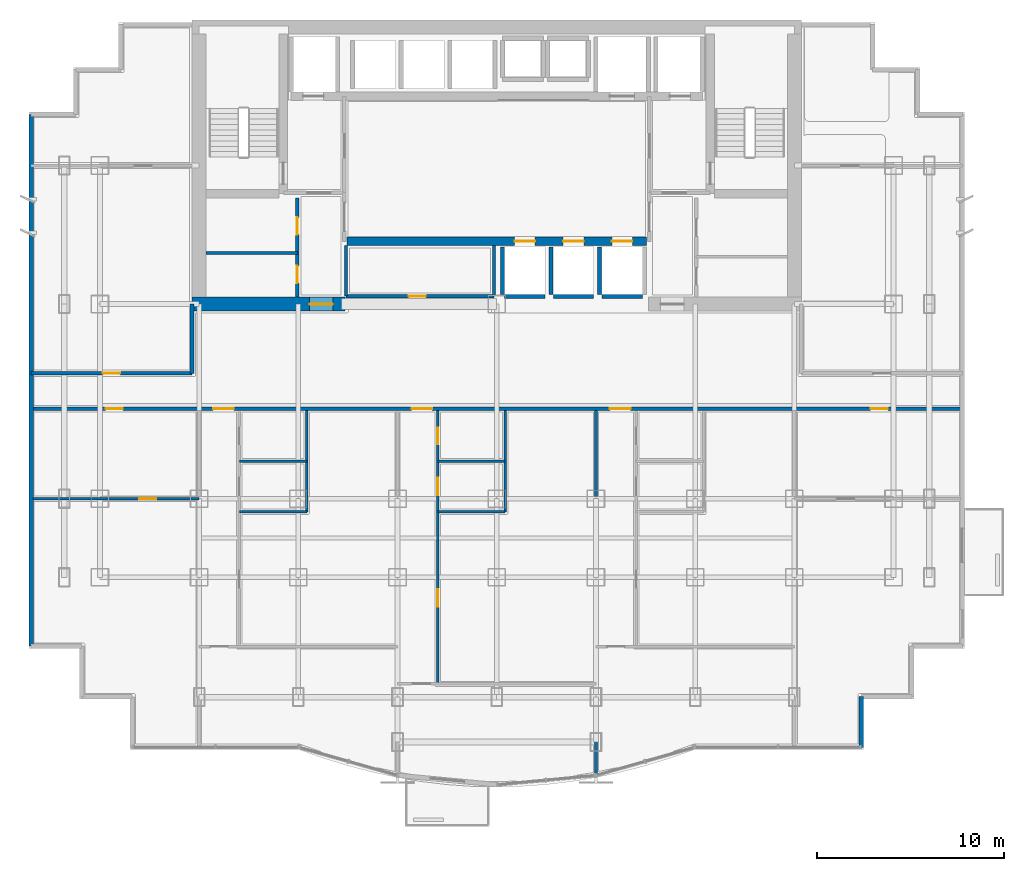
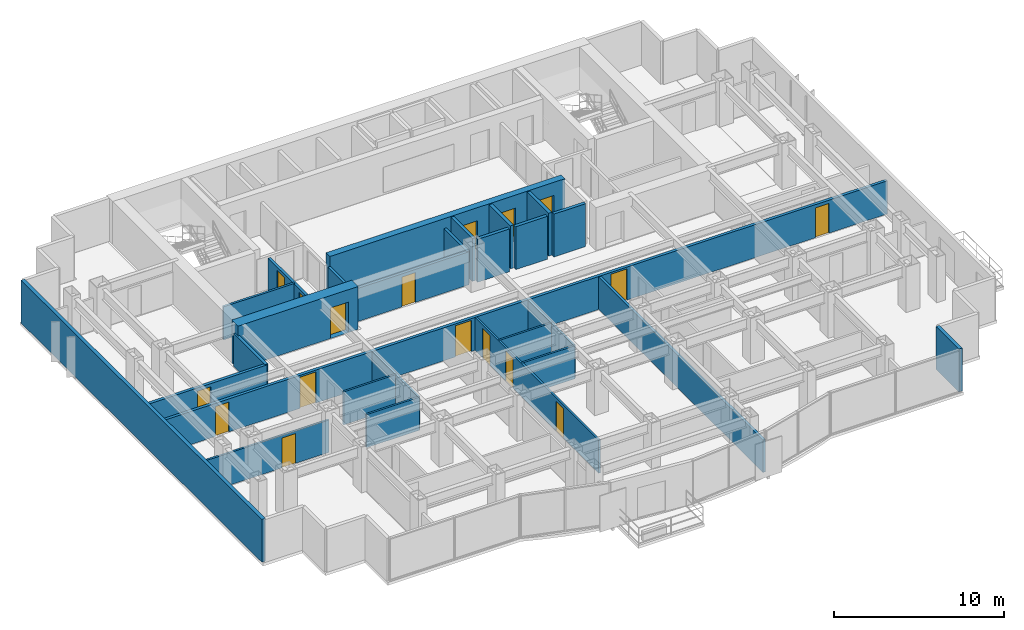
# One storey, part 5 of 9: 27 walls, 17 doors, 17 openings.
"""IFC4 building model written with IfcOpenShell, lengths in metres."""

from ifc_helpers import new_model, si_unit, direction, frame, frame_2d, origin, place, context, subcontext, project, spatial, rectangle, extrude, material, layer, layer_set, type_object, element, fill, save


model = new_model("IFC4")

# Units and contexts
model_context = context("Model", 3, precision=1e-05, world=origin(), true_north=direction((0.0, 1.0)))
body_context = subcontext(model_context, "Body", "Model", "MODEL_VIEW")
ifc_project = project(units=[si_unit("LENGTHUNIT", "METRE"), si_unit("AREAUNIT", "SQUARE_METRE"), si_unit("VOLUMEUNIT", "CUBIC_METRE"), si_unit("PLANEANGLEUNIT", "RADIAN"), si_unit("MASSUNIT", "GRAM", prefix="KILO")], contexts=[model_context])

# Site, building, storey
site_placement = place(None, origin())
site = spatial("IfcSite", under=ifc_project, at=site_placement, CompositionType="ELEMENT")
building_placement = place(site_placement, origin())
building = spatial("IfcBuilding", under=site, at=building_placement, Name="Qianlan Lanfeng Residences", CompositionType="ELEMENT")
storey_placement = place(building_placement, frame((0.0, 0.0, 108.10009765625)))
storey = spatial("IfcBuildingStorey", under=building, at=storey_placement, Name="L29", CompositionType="ELEMENT", Elevation=108.10009765625)

# Wall, openings, doors
ifc_material_1 = material(Name="Concrete C60", Category="concrete")
ifc_layer_1 = layer(ifc_material_1, 0.449951171875)
ifc_layer_set_1 = layer_set([ifc_layer_1], Name="Concrete C60")
wall_type_1 = type_object("IfcWallType", Name="CW-RC-450", PredefinedType="SHEAR", material=ifc_layer_set_1)
wall_1_placement = place(storey_placement, frame((18.5, 28.550048828125, 0.0), z_axis=(0.0, 0.0, 1.0), x_axis=(1.0, 0.0, 0.0)))
wall_1 = element("IfcWall", 1, at=wall_1_placement, inside=storey, type_object=wall_type_1, Name="L29 Core Shear Wall LBS", PredefinedType="SHEAR", context=body_context, shape_type="SweptSolid", body=[
    extrude(rectangle(XDim=16.0, YDim=0.449951171875, at=frame_2d((8.0, 0.0))), origin(), (0.0, 0.0, 1.0), 3.08984375),
])
opening_1_placement = place(wall_1_placement, frame((8.949951171875, 0.0, 0.0)))
opening_1 = element("IfcOpeningElement", 2, at=opening_1_placement, cuts=wall_1, Name="Opening L29-LD-PL-M1", PredefinedType="OPENING", context=body_context, shape_type="SweptSolid", body=[
    extrude(rectangle(XDim=1.10009765625, YDim=2.14990234375, at=frame_2d((0.550048828125, 1.074951171875))), frame((0.0, 0.23486328125, 0.0), z_axis=(0.0, -1.0, 0.0), x_axis=(1.0, 0.0, 0.0)), (0.0, 0.0, 1.0), 0.469970703125),
])
opening_2_placement = place(wall_1_placement, frame((11.550048828125, 0.0, 0.0)))
opening_2 = element("IfcOpeningElement", 3, at=opening_2_placement, cuts=wall_1, Name="Opening L29-LD-PL-M2", PredefinedType="OPENING", context=body_context, shape_type="SweptSolid", body=[
    extrude(rectangle(XDim=1.10009765625, YDim=2.14990234375, at=frame_2d((0.550048828125, 1.074951171875))), frame((0.0, 0.23486328125, 0.0), z_axis=(0.0, -1.0, 0.0), x_axis=(1.0, 0.0, 0.0)), (0.0, 0.0, 1.0), 0.469970703125),
])
opening_3_placement = place(wall_1_placement, frame((14.14990234375, 0.0, 0.0)))
opening_3 = element("IfcOpeningElement", 4, at=opening_3_placement, cuts=wall_1, Name="Opening L29-LD-PL-M3", PredefinedType="OPENING", context=body_context, shape_type="SweptSolid", body=[
    extrude(rectangle(XDim=1.10009765625, YDim=2.14990234375, at=frame_2d((0.550048828125, 1.074951171875))), frame((0.0, 0.23486328125, 0.0), z_axis=(0.0, -1.0, 0.0), x_axis=(1.0, 0.0, 0.0)), (0.0, 0.0, 1.0), 0.469970703125),
])
ifc_material_2 = material(Name="Brushed Stainless Steel Sliding Lift Door", Category="steel")
door_type_1 = type_object("IfcDoorType", Name="LD-01", OperationType="NOTDEFINED", PredefinedType="DOOR", material=ifc_material_2)
door_1_placement = place(opening_1_placement, origin())
door_1 = element("IfcDoor", 5, at=door_1_placement, inside=storey, type_object=door_type_1, Name="L29 Elevator PL-M1 Sliding Landing Door", OperationType="DOUBLE_DOOR_SLIDING", OverallHeight=2.14990234375, OverallWidth=1.10009765625, PredefinedType="DOOR", context=body_context, shape_type="SweptSolid", body=[
    extrude(rectangle(XDim=1.10009765625, YDim=2.14990234375, at=frame_2d((0.550048828125, 1.074951171875))), frame((0.0, 0.02490234375, 0.0), z_axis=(0.0, -1.0, 0.0), x_axis=(1.0, 0.0, 0.0)), (0.0, 0.0, 1.0), 0.050048828125),
])
fill(opening_1, door_1)
door_2_placement = place(opening_2_placement, origin())
door_2 = element("IfcDoor", 6, at=door_2_placement, inside=storey, type_object=door_type_1, Name="L29 Elevator PL-M2 Sliding Landing Door", OperationType="DOUBLE_DOOR_SLIDING", OverallHeight=2.14990234375, OverallWidth=1.10009765625, PredefinedType="DOOR", context=body_context, shape_type="SweptSolid", body=[
    extrude(rectangle(XDim=1.10009765625, YDim=2.14990234375, at=frame_2d((0.550048828125, 1.074951171875))), frame((0.0, 0.02490234375, 0.0), z_axis=(0.0, -1.0, 0.0), x_axis=(1.0, 0.0, 0.0)), (0.0, 0.0, 1.0), 0.050048828125),
])
fill(opening_2, door_2)
door_3_placement = place(opening_3_placement, origin())
door_3 = element("IfcDoor", 7, at=door_3_placement, inside=storey, type_object=door_type_1, Name="L29 Elevator PL-M3 Sliding Landing Door", OperationType="DOUBLE_DOOR_SLIDING", OverallHeight=2.14990234375, OverallWidth=1.10009765625, PredefinedType="DOOR", context=body_context, shape_type="SweptSolid", body=[
    extrude(rectangle(XDim=1.10009765625, YDim=2.14990234375, at=frame_2d((0.550048828125, 1.074951171875))), frame((0.0, 0.02490234375, 0.0), z_axis=(0.0, -1.0, 0.0), x_axis=(1.0, 0.0, 0.0)), (0.0, 0.0, 1.0), 0.050048828125),
])
fill(opening_3, door_3)

# Wall, opening, door
ifc_layer_2 = layer(ifc_material_1, 0.75)
ifc_layer_set_2 = layer_set([ifc_layer_2], Name="Concrete C60")
wall_type_2 = type_object("IfcWallType", Name="CW-RC-750", PredefinedType="SHEAR", material=ifc_layer_set_2)
wall_2_placement = place(storey_placement, frame((10.22509765625, 25.199951171875, 0.0), z_axis=(0.0, 0.0, 1.0), x_axis=(1.0, 0.0, 0.0)))
wall_2 = element("IfcWall", 8, at=wall_2_placement, inside=storey, type_object=wall_type_2, Name="L29 Core Shear Wall SW", PredefinedType="SHEAR", context=body_context, shape_type="SweptSolid", body=[
    extrude(rectangle(XDim=8.1748046875, YDim=0.75, at=frame_2d((4.08740234375, 0.0))), origin(), (0.0, 0.0, 1.0), 3.08984375),
])
opening_4_placement = place(wall_2_placement, frame((6.27490234375, 0.0, 0.0)))
opening_4 = element("IfcOpeningElement", 9, at=opening_4_placement, cuts=wall_2, Name="Opening L29-D01", PredefinedType="OPENING", context=body_context, shape_type="SweptSolid", body=[
    extrude(rectangle(XDim=1.25, YDim=2.199951171875, at=frame_2d((0.625, 1.10009765625))), frame((0.0, 0.385009765625, 0.0), z_axis=(0.0, -1.0, 0.0), x_axis=(1.0, 0.0, 0.0)), (0.0, 0.0, 1.0), 0.77001953125),
])
ifc_material_3 = material(Name="Painted Galvanised Steel Fire Door", Category="steel")
door_type_2 = type_object("IfcDoorType", Name="DT-FFL", OperationType="NOTDEFINED", PredefinedType="DOOR", material=ifc_material_3)
door_4_placement = place(opening_4_placement, origin())
door_4 = element("IfcDoor", 10, at=door_4_placement, inside=storey, type_object=door_type_2, Name="L29 West Core Lobby Smoke Door L29-D01 (DT-FFL)", OperationType="SINGLE_SWING_RIGHT", OverallHeight=2.199951171875, OverallWidth=1.25, PredefinedType="DOOR", context=body_context, shape_type="SweptSolid", body=[
    extrude(rectangle(XDim=1.25, YDim=2.199951171875, at=frame_2d((0.625, 1.10009765625))), frame((0.0, 0.02490234375, 0.0), z_axis=(0.0, -1.0, 0.0), x_axis=(1.0, 0.0, 0.0)), (0.0, 0.0, 1.0), 0.050048828125),
])
fill(opening_4, door_4)

# Walls
ifc_material_4 = material(Name="Concrete C42", Category="concrete")
ifc_layer_3 = layer(ifc_material_4, 0.239990234375)
ifc_layer_set_3 = layer_set([ifc_layer_3], Name="Concrete C42")
wall_type_3 = type_object("IfcWallType", Name="EW-240", PredefinedType="SOLIDWALL", material=ifc_layer_set_3)
wall_3_placement = place(storey_placement, frame((45.97998046875, 1.52001953125, 0.0), z_axis=(0.0, 0.0, 1.0), x_axis=(0.0, 1.0, 0.0)))
element("IfcWall", 11, at=wall_3_placement, inside=storey, type_object=wall_type_3, Name="L29 Exterior Facade Spandrel Wall 6", PredefinedType="SOLIDWALL", context=body_context, shape_type="SweptSolid", body=[
    extrude(rectangle(XDim=2.699951171875, YDim=0.239990234375, at=frame_2d((1.35009765625, 0.0))), origin(), (0.0, 0.0, 1.0), 3.08984375),
])
wall_4_placement = place(storey_placement, frame((1.6201171875, 35.330078125, 0.0), z_axis=(0.0, 0.0, 1.0), x_axis=(0.0, -1.0, 0.0)))
element("IfcWall", 12, at=wall_4_placement, inside=storey, type_object=wall_type_3, Name="L29 Exterior Facade Spandrel Wall 21", PredefinedType="SOLIDWALL", context=body_context, shape_type="SweptSolid", body=[
    extrude(rectangle(XDim=28.41015625, YDim=0.239990234375, at=frame_2d((14.205078125, 0.0))), origin(), (0.0, 0.0, 1.0), 3.08984375),
])
ifc_material_5 = material(Name="Moisture-Resistant Gypsum Partition 135 mm")
ifc_layer_4 = layer(ifc_material_5, 0.135009765625)
ifc_layer_set_4 = layer_set([ifc_layer_4], Name="Moisture-Resistant Gypsum Partition 135 mm")
wall_type_4 = type_object("IfcWallType", Name="PW-135", PredefinedType="PARTITIONING", material=ifc_layer_set_4)
wall_5_placement = place(storey_placement, frame((12.75, 14.10009765625, 0.0), z_axis=(0.0, 0.0, 1.0), x_axis=(1.0, 0.0, 0.0)))
element("IfcWall", 13, at=wall_5_placement, inside=storey, type_object=wall_type_4, Name="L29 U01 Kitchen South Wall", PredefinedType="PARTITIONING", context=body_context, shape_type="SweptSolid", body=[
    extrude(rectangle(XDim=3.60009765625, YDim=0.135009765625, at=frame_2d((1.800048828125, 0.0))), origin(), (0.0, 0.0, 1.0), 2.3798828125),
])
wall_6_placement = place(storey_placement, frame((16.35009765625, 14.10009765625, 0.0), z_axis=(0.0, 0.0, 1.0), x_axis=(0.0, 1.0, 0.0)))
element("IfcWall", 14, at=wall_6_placement, inside=storey, type_object=wall_type_4, Name="L29 U01 Dining East Wall", PredefinedType="PARTITIONING", context=body_context, shape_type="SweptSolid", body=[
    extrude(rectangle(XDim=5.39990234375, YDim=0.135009765625, at=frame_2d((2.699951171875, 0.0))), origin(), (0.0, 0.0, 1.0), 2.3798828125),
])
wall_7_placement = place(storey_placement, frame((12.75, 16.800048828125, 0.0), z_axis=(0.0, 0.0, 1.0), x_axis=(1.0, 0.0, 0.0)))
element("IfcWall", 15, at=wall_7_placement, inside=storey, type_object=wall_type_4, Name="L29 U01 Bathroom South Wall", PredefinedType="PARTITIONING", context=body_context, shape_type="SweptSolid", body=[
    extrude(rectangle(XDim=3.60009765625, YDim=0.135009765625, at=frame_2d((1.800048828125, 0.0))), origin(), (0.0, 0.0, 1.0), 2.3798828125),
])

# Wall, openings, doors
wall_8_placement = place(storey_placement, frame((23.35009765625, 4.903076171875, 0.0), z_axis=(0.0, 0.0, 1.0), x_axis=(0.0, 1.0, 0.0)))
wall_8 = element("IfcWall", 16, at=wall_8_placement, inside=storey, type_object=wall_type_4, Name="L29 U02 Entry Hall Spine", PredefinedType="PARTITIONING", context=body_context, shape_type="SweptSolid", body=[
    extrude(rectangle(XDim=14.596923828125, YDim=0.135009765625, at=frame_2d((7.29833984375, 0.0))), origin(), (0.0, 0.0, 1.0), 2.3798828125),
])
opening_5_placement = place(wall_8_placement, frame((4.137939453125, 0.0, 0.0)))
opening_5 = element("IfcOpeningElement", 17, at=opening_5_placement, cuts=wall_8, Name="Opening L29-D23", PredefinedType="OPENING", context=body_context, shape_type="SweptSolid", body=[
    extrude(rectangle(XDim=0.919921875, YDim=2.14990234375, at=frame_2d((0.4599609375, 1.074951171875))), frame((0.0, 0.07763671875, 0.0), z_axis=(0.0, -1.0, 0.0), x_axis=(1.0, 0.0, 0.0)), (0.0, 0.0, 1.0), 0.155029296875),
])
opening_6_placement = place(wall_8_placement, frame((10.0869140625, 0.0, 0.0)))
opening_6 = element("IfcOpeningElement", 18, at=opening_6_placement, cuts=wall_8, Name="Opening L29-D24", PredefinedType="OPENING", context=body_context, shape_type="SweptSolid", body=[
    extrude(rectangle(XDim=0.919921875, YDim=2.14990234375, at=frame_2d((0.4599609375, 1.074951171875))), frame((0.0, 0.07763671875, 0.0), z_axis=(0.0, -1.0, 0.0), x_axis=(1.0, 0.0, 0.0)), (0.0, 0.0, 1.0), 0.155029296875),
])
opening_7_placement = place(wall_8_placement, frame((12.797119140625, 0.0, 0.0)))
opening_7 = element("IfcOpeningElement", 19, at=opening_7_placement, cuts=wall_8, Name="Opening L29-D25", PredefinedType="OPENING", context=body_context, shape_type="SweptSolid", body=[
    extrude(rectangle(XDim=0.89990234375, YDim=2.14990234375, at=frame_2d((0.449951171875, 1.074951171875))), frame((0.0, 0.07763671875, 0.0), z_axis=(0.0, -1.0, 0.0), x_axis=(1.0, 0.0, 0.0)), (0.0, 0.0, 1.0), 0.155029296875),
])
ifc_material_6 = material(Name="Glazed Timber Kitchen/Study Door", Category="wood")
door_type_3 = type_object("IfcDoorType", Name="DT-INT", OperationType="NOTDEFINED", PredefinedType="DOOR", material=ifc_material_6)
door_5_placement = place(opening_5_placement, origin())
door_5 = element("IfcDoor", 20, at=door_5_placement, inside=storey, type_object=door_type_3, Name="L29 U02 Study Door L29-D23 (DT-INT)", OperationType="SINGLE_SWING_RIGHT", OverallHeight=2.14990234375, OverallWidth=0.919921875, PredefinedType="DOOR", context=body_context, shape_type="SweptSolid", body=[
    extrude(rectangle(XDim=0.919921875, YDim=2.14990234375, at=frame_2d((0.4599609375, 1.074951171875))), frame((0.0, 0.02490234375, 0.0), z_axis=(0.0, -1.0, 0.0), x_axis=(1.0, 0.0, 0.0)), (0.0, 0.0, 1.0), 0.050048828125),
])
fill(opening_5, door_5)
door_6_placement = place(opening_6_placement, origin())
door_6 = element("IfcDoor", 21, at=door_6_placement, inside=storey, type_object=door_type_3, Name="L29 U02 Kitchen Door L29-D24 (DT-INT)", OperationType="SINGLE_SWING_LEFT", OverallHeight=2.14990234375, OverallWidth=0.919921875, PredefinedType="DOOR", context=body_context, shape_type="SweptSolid", body=[
    extrude(rectangle(XDim=0.919921875, YDim=2.14990234375, at=frame_2d((0.4599609375, 1.074951171875))), frame((0.0, 0.02490234375, 0.0), z_axis=(0.0, -1.0, 0.0), x_axis=(1.0, 0.0, 0.0)), (0.0, 0.0, 1.0), 0.050048828125),
])
fill(opening_6, door_6)
ifc_material_7 = material(Name="Moisture-Resistant Timber Leaf", Category="wood")
door_type_4 = type_object("IfcDoorType", Name="DT-WC", OperationType="NOTDEFINED", PredefinedType="DOOR", material=ifc_material_7)
door_7_placement = place(opening_7_placement, origin())
door_7 = element("IfcDoor", 22, at=door_7_placement, inside=storey, type_object=door_type_4, Name="L29 U02 Bathroom Door L29-D25 (DT-WC)", OperationType="SINGLE_SWING_RIGHT", OverallHeight=2.14990234375, OverallWidth=0.89990234375, PredefinedType="DOOR", context=body_context, shape_type="SweptSolid", body=[
    extrude(rectangle(XDim=0.89990234375, YDim=2.14990234375, at=frame_2d((0.449951171875, 1.074951171875))), frame((0.0, 0.02490234375, 0.0), z_axis=(0.0, -1.0, 0.0), x_axis=(1.0, 0.0, 0.0)), (0.0, 0.0, 1.0), 0.050048828125),
])
fill(opening_7, door_7)

# Walls
wall_9_placement = place(storey_placement, frame((23.35009765625, 14.10009765625, 0.0), z_axis=(0.0, 0.0, 1.0), x_axis=(1.0, 0.0, 0.0)))
element("IfcWall", 23, at=wall_9_placement, inside=storey, type_object=wall_type_4, Name="L29 U02 Kitchen South Wall", PredefinedType="PARTITIONING", context=body_context, shape_type="SweptSolid", body=[
    extrude(rectangle(XDim=3.599853515625, YDim=0.135009765625, at=frame_2d((1.7998046875, 0.0))), origin(), (0.0, 0.0, 1.0), 2.3798828125),
])
wall_10_placement = place(storey_placement, frame((26.949951171875, 14.10009765625, 0.0), z_axis=(0.0, 0.0, 1.0), x_axis=(0.0, 1.0, 0.0)))
element("IfcWall", 24, at=wall_10_placement, inside=storey, type_object=wall_type_4, Name="L29 U02 Dining East Wall", PredefinedType="PARTITIONING", context=body_context, shape_type="SweptSolid", body=[
    extrude(rectangle(XDim=5.39990234375, YDim=0.135009765625, at=frame_2d((2.699951171875, 0.0))), origin(), (0.0, 0.0, 1.0), 2.3798828125),
])
wall_11_placement = place(storey_placement, frame((23.35009765625, 16.800048828125, 0.0), z_axis=(0.0, 0.0, 1.0), x_axis=(1.0, 0.0, 0.0)))
element("IfcWall", 25, at=wall_11_placement, inside=storey, type_object=wall_type_4, Name="L29 U02 Bathroom South Wall", PredefinedType="PARTITIONING", context=body_context, shape_type="SweptSolid", body=[
    extrude(rectangle(XDim=3.599853515625, YDim=0.135009765625, at=frame_2d((1.7998046875, 0.0))), origin(), (0.0, 0.0, 1.0), 2.3798828125),
])

# Wall, opening, door
wall_12_placement = place(storey_placement, frame((1.719970703125, 14.800048828125, 0.0), z_axis=(0.0, 0.0, 1.0), x_axis=(1.0, 0.0, 0.0)))
wall_12 = element("IfcWall", 26, at=wall_12_placement, inside=storey, type_object=wall_type_4, Name="L29 SWP Mid Partition", PredefinedType="PARTITIONING", context=body_context, shape_type="SweptSolid", body=[
    extrude(rectangle(XDim=8.880126953125, YDim=0.135009765625, at=frame_2d((4.43994140625, 0.0))), origin(), (0.0, 0.0, 1.0), 2.3349609375),
])
opening_8_placement = place(wall_12_placement, frame((5.679931640625, 0.0, 0.0)))
opening_8 = element("IfcOpeningElement", 27, at=opening_8_placement, cuts=wall_12, Name="Opening L29-D31", PredefinedType="OPENING", context=body_context, shape_type="SweptSolid", body=[
    extrude(rectangle(XDim=0.919921875, YDim=2.14990234375, at=frame_2d((0.4599609375, 1.074951171875))), frame((0.0, 0.07763671875, 0.0), z_axis=(0.0, -1.0, 0.0), x_axis=(1.0, 0.0, 0.0)), (0.0, 0.0, 1.0), 0.155029296875),
])
door_8_placement = place(opening_8_placement, origin())
door_8 = element("IfcDoor", 28, at=door_8_placement, inside=storey, type_object=door_type_3, Name="L29 SWP Inner Door L29-D31 (DT-INT)", OperationType="SINGLE_SWING_RIGHT", OverallHeight=2.14990234375, OverallWidth=0.919921875, PredefinedType="DOOR", context=body_context, shape_type="SweptSolid", body=[
    extrude(rectangle(XDim=0.919921875, YDim=2.14990234375, at=frame_2d((0.4599609375, 1.074951171875))), frame((0.0, 0.02490234375, 0.0), z_axis=(0.0, -1.0, 0.0), x_axis=(1.0, 0.0, 0.0)), (0.0, 0.0, 1.0), 0.050048828125),
])
fill(opening_8, door_8)

# Wall
ifc_material_8 = material(Name="Acoustic Drywall Partition 150 mm")
ifc_layer_5 = layer(ifc_material_8, 0.14990234375)
ifc_layer_set_5 = layer_set([ifc_layer_5], Name="Acoustic Drywall Partition 150 mm")
wall_type_5 = type_object("IfcWallType", Name="PW-150", PredefinedType="PARTITIONING", material=ifc_layer_set_5)
wall_13_placement = place(storey_placement, frame((10.97509765625, 27.925048828125, 0.0), z_axis=(0.0, 0.0, 1.0), x_axis=(1.0, 0.0, 0.0)))
element("IfcWall", 29, at=wall_13_placement, inside=storey, type_object=wall_type_5, Name="L29 Core West Split", PredefinedType="PARTITIONING", context=body_context, shape_type="SweptSolid", body=[
    extrude(rectangle(XDim=4.875, YDim=0.14990234375, at=frame_2d((2.4375, 0.0))), origin(), (0.0, 0.0, 1.0), 2.3798828125),
])

# Wall, openings, doors
ifc_material_9 = material(Name="Double-Layer Acoustic Gypsum Stud Wall 180 mm")
ifc_layer_6 = layer(ifc_material_9, 0.179931640625)
ifc_layer_set_6 = layer_set([ifc_layer_6], Name="Double-Layer Acoustic Gypsum Stud Wall 180 mm")
wall_type_6 = type_object("IfcWallType", Name="PW-180", PredefinedType="PARTITIONING", material=ifc_layer_set_6)
wall_14_placement = place(storey_placement, frame((15.85009765625, 25.574951171875, 0.0), z_axis=(0.0, 0.0, 1.0), x_axis=(0.0, 1.0, 0.0)))
wall_14 = element("IfcWall", 30, at=wall_14_placement, inside=storey, type_object=wall_type_6, Name="L29 Core West Service Room Wall", PredefinedType="PARTITIONING", context=body_context, shape_type="SweptSolid", body=[
    extrude(rectangle(XDim=5.300048828125, YDim=0.179931640625, at=frame_2d((2.64990234375, 0.0))), origin(), (0.0, 0.0, 1.0), 2.3798828125),
])
opening_9_placement = place(wall_14_placement, frame((0.739990234375, 0.0, 0.0)))
opening_9 = element("IfcOpeningElement", 31, at=opening_9_placement, cuts=wall_14, Name="Opening L29-D09", PredefinedType="OPENING", context=body_context, shape_type="SweptSolid", body=[
    extrude(rectangle(XDim=0.919921875, YDim=2.14990234375, at=frame_2d((0.4599609375, 1.074951171875))), frame((0.0, 0.10009765625, 0.0), z_axis=(0.0, -1.0, 0.0), x_axis=(1.0, 0.0, 0.0)), (0.0, 0.0, 1.0), 0.199951171875),
])
opening_10_placement = place(wall_14_placement, frame((3.340087890625, 0.0, 0.0)))
opening_10 = element("IfcOpeningElement", 32, at=opening_10_placement, cuts=wall_14, Name="Opening L29-D10", PredefinedType="OPENING", context=body_context, shape_type="SweptSolid", body=[
    extrude(rectangle(XDim=0.919921875, YDim=2.14990234375, at=frame_2d((0.4599609375, 1.074951171875))), frame((0.0, 0.10009765625, 0.0), z_axis=(0.0, -1.0, 0.0), x_axis=(1.0, 0.0, 0.0)), (0.0, 0.0, 1.0), 0.199951171875),
])
door_9_placement = place(opening_9_placement, origin())
door_9 = element("IfcDoor", 33, at=door_9_placement, inside=storey, type_object=door_type_3, Name="L29 Parcel Room Door L29-D09 (DT-INT)", OperationType="SINGLE_SWING_LEFT", OverallHeight=2.14990234375, OverallWidth=0.919921875, PredefinedType="DOOR", context=body_context, shape_type="SweptSolid", body=[
    extrude(rectangle(XDim=0.919921875, YDim=2.14990234375, at=frame_2d((0.4599609375, 1.074951171875))), frame((0.0, 0.02490234375, 0.0), z_axis=(0.0, -1.0, 0.0), x_axis=(1.0, 0.0, 0.0)), (0.0, 0.0, 1.0), 0.050048828125),
])
fill(opening_9, door_9)
door_10_placement = place(opening_10_placement, origin())
door_10 = element("IfcDoor", 34, at=door_10_placement, inside=storey, type_object=door_type_3, Name="L29 Janitor Closet Door L29-D10 (DT-INT)", OperationType="SINGLE_SWING_LEFT", OverallHeight=2.14990234375, OverallWidth=0.919921875, PredefinedType="DOOR", context=body_context, shape_type="SweptSolid", body=[
    extrude(rectangle(XDim=0.919921875, YDim=2.14990234375, at=frame_2d((0.4599609375, 1.074951171875))), frame((0.0, 0.02490234375, 0.0), z_axis=(0.0, -1.0, 0.0), x_axis=(1.0, 0.0, 0.0)), (0.0, 0.0, 1.0), 0.050048828125),
])
fill(opening_10, door_10)

# Walls
for number, where, z_axis, x_axis, name in (
    (35, (18.449951171875, 25.6201171875, 0.0), (0.0, 0.0, 1.0), (0.0, 1.0, 0.0), "L29 Reclaimed Low-Bank Room West Wall"),
    (36, (26.35009765625, 25.6201171875, 0.0), (0.0, 0.0, 1.0), (0.0, 1.0, 0.0), "L29 Reclaimed Low-Bank Room East Wall"),
):
    element("IfcWall", number, at=place(storey_placement, frame(where, z_axis=z_axis, x_axis=x_axis)), inside=storey, type_object=wall_type_6, Name=name, PredefinedType="PARTITIONING", context=body_context, shape_type="SweptSolid", body=[
        extrude(rectangle(XDim=2.704833984375, YDim=0.179931640625, at=frame_2d((1.3525390625, 0.0))), origin(), (0.0, 0.0, 1.0), 2.3798828125),
    ])

# Wall, opening, door
wall_15_placement = place(storey_placement, frame((18.449951171875, 25.6201171875, 0.0), z_axis=(0.0, 0.0, 1.0), x_axis=(1.0, 0.0, 0.0)))
wall_15 = element("IfcWall", 37, at=wall_15_placement, inside=storey, type_object=wall_type_6, Name="L29 Reclaimed Low-Bank Room South Wall", PredefinedType="PARTITIONING", context=body_context, shape_type="SweptSolid", body=[
    extrude(rectangle(XDim=7.900146484375, YDim=0.179931640625, at=frame_2d((3.9501953125, 0.0))), origin(), (0.0, 0.0, 1.0), 2.3798828125),
])
opening_11_placement = place(wall_15_placement, frame((3.340087890625, 0.0, 0.0)))
opening_11 = element("IfcOpeningElement", 38, at=opening_11_placement, cuts=wall_15, Name="Opening L29-D15", PredefinedType="OPENING", context=body_context, shape_type="SweptSolid", body=[
    extrude(rectangle(XDim=0.919921875, YDim=2.14990234375, at=frame_2d((0.4599609375, 1.074951171875))), frame((0.0, 0.10009765625, 0.0), z_axis=(0.0, -1.0, 0.0), x_axis=(1.0, 0.0, 0.0)), (0.0, 0.0, 1.0), 0.199951171875),
])
door_11_placement = place(opening_11_placement, origin())
door_11 = element("IfcDoor", 39, at=door_11_placement, inside=storey, type_object=door_type_3, Name="L29 Reclaimed Core Salon Door L29-D15 (DT-INT)", OperationType="SINGLE_SWING_RIGHT", OverallHeight=2.14990234375, OverallWidth=0.919921875, PredefinedType="DOOR", context=body_context, shape_type="SweptSolid", body=[
    extrude(rectangle(XDim=0.919921875, YDim=2.14990234375, at=frame_2d((0.4599609375, 1.074951171875))), frame((0.0, 0.02490234375, 0.0), z_axis=(0.0, -1.0, 0.0), x_axis=(1.0, 0.0, 0.0)), (0.0, 0.0, 1.0), 0.050048828125),
])
fill(opening_11, door_11)

# Wall
wall_16_placement = place(storey_placement, frame((31.800048828125, 0.126953125, 0.0), z_axis=(0.0, 0.0, 1.0), x_axis=(0.0, 1.0, 0.0)))
element("IfcWall", 40, at=wall_16_placement, inside=storey, type_object=wall_type_6, Name="L29 Inter-Tenancy Party Wall 3", PredefinedType="PARTITIONING", context=body_context, shape_type="SweptSolid", body=[
    extrude(rectangle(XDim=19.373046875, YDim=0.179931640625, at=frame_2d((9.6865234375, 0.0))), origin(), (0.0, 0.0, 1.0), 2.3349609375),
])

# Wall, openings, doors
ifc_material_10 = material(Name="Autoclaved Aerated Concrete Blockwork 200 mm", Category="masonry")
ifc_layer_7 = layer(ifc_material_10, 0.199951171875)
ifc_layer_set_7 = layer_set([ifc_layer_7], Name="Autoclaved Aerated Concrete Blockwork 200 mm")
wall_type_7 = type_object("IfcWallType", Name="PW-200", PredefinedType="PARTITIONING", material=ifc_layer_set_7)
wall_17_placement = place(storey_placement, frame((1.6201171875, 19.60009765625, 0.0), z_axis=(0.0, 0.0, 1.0), x_axis=(1.0, 0.0, 0.0)))
wall_17 = element("IfcWall", 41, at=wall_17_placement, inside=storey, type_object=wall_type_7, Name="L29 Residential Corridor South Fire Wall", PredefinedType="PARTITIONING", context=body_context, shape_type="SweptSolid", body=[
    extrude(rectangle(XDim=49.759765625, YDim=0.199951171875, at=frame_2d((24.8798828125, 0.0))), origin(), (0.0, 0.0, 1.0), 2.3798828125),
])
opening_12_placement = place(wall_17_placement, frame((9.72998046875, 0.0, 0.0)))
opening_12 = element("IfcOpeningElement", 42, at=opening_12_placement, cuts=wall_17, Name="Opening L29-D16", PredefinedType="OPENING", context=body_context, shape_type="SweptSolid", body=[
    extrude(rectangle(XDim=1.10009765625, YDim=2.25, at=frame_2d((0.550048828125, 1.125))), frame((0.0, 0.10986328125, 0.0), z_axis=(0.0, -1.0, 0.0), x_axis=(1.0, 0.0, 0.0)), (0.0, 0.0, 1.0), 0.219970703125),
])
opening_13_placement = place(wall_17_placement, frame((20.330078125, 0.0, 0.0)))
opening_13 = element("IfcOpeningElement", 43, at=opening_13_placement, cuts=wall_17, Name="Opening L29-D21", PredefinedType="OPENING", context=body_context, shape_type="SweptSolid", body=[
    extrude(rectangle(XDim=1.10009765625, YDim=2.25, at=frame_2d((0.550048828125, 1.125))), frame((0.0, 0.10986328125, 0.0), z_axis=(0.0, -1.0, 0.0), x_axis=(1.0, 0.0, 0.0)), (0.0, 0.0, 1.0), 0.219970703125),
])
opening_14_placement = place(wall_17_placement, frame((30.929931640625, 0.0, 0.0)))
opening_14 = element("IfcOpeningElement", 44, at=opening_14_placement, cuts=wall_17, Name="Opening L29-D26", PredefinedType="OPENING", context=body_context, shape_type="SweptSolid", body=[
    extrude(rectangle(XDim=1.10009765625, YDim=2.25, at=frame_2d((0.550048828125, 1.125))), frame((0.0, 0.10986328125, 0.0), z_axis=(0.0, -1.0, 0.0), x_axis=(1.0, 0.0, 0.0)), (0.0, 0.0, 1.0), 0.219970703125),
])
opening_15_placement = place(wall_17_placement, frame((3.985107421875, 0.0, 0.0)))
opening_15 = element("IfcOpeningElement", 45, at=opening_15_placement, cuts=wall_17, Name="Opening L29-D32", PredefinedType="OPENING", context=body_context, shape_type="SweptSolid", body=[
    extrude(rectangle(XDim=0.919921875, YDim=2.14990234375, at=frame_2d((0.4599609375, 1.074951171875))), frame((0.0, 0.10986328125, 0.0), z_axis=(0.0, -1.0, 0.0), x_axis=(1.0, 0.0, 0.0)), (0.0, 0.0, 1.0), 0.219970703125),
])
opening_16_placement = place(wall_17_placement, frame((44.85498046875, 0.0, 0.0)))
opening_16 = element("IfcOpeningElement", 46, at=opening_16_placement, cuts=wall_17, Name="Opening L29-D34", PredefinedType="OPENING", context=body_context, shape_type="SweptSolid", body=[
    extrude(rectangle(XDim=0.919921875, YDim=2.14990234375, at=frame_2d((0.4599609375, 1.074951171875))), frame((0.0, 0.10986328125, 0.0), z_axis=(0.0, -1.0, 0.0), x_axis=(1.0, 0.0, 0.0)), (0.0, 0.0, 1.0), 0.219970703125),
])
door_12_placement = place(opening_15_placement, origin())
door_12 = element("IfcDoor", 47, at=door_12_placement, inside=storey, type_object=door_type_3, Name="L29 SWP Corridor Door L29-D32 (DT-INT)", OperationType="SINGLE_SWING_LEFT", OverallHeight=2.14990234375, OverallWidth=0.919921875, PredefinedType="DOOR", context=body_context, shape_type="SweptSolid", body=[
    extrude(rectangle(XDim=0.919921875, YDim=2.14990234375, at=frame_2d((0.4599609375, 1.074951171875))), frame((0.0, 0.02490234375, 0.0), z_axis=(0.0, -1.0, 0.0), x_axis=(1.0, 0.0, 0.0)), (0.0, 0.0, 1.0), 0.050048828125),
])
fill(opening_15, door_12)
door_13_placement = place(opening_16_placement, origin())
door_13 = element("IfcDoor", 48, at=door_13_placement, inside=storey, type_object=door_type_3, Name="L29 SEP Corridor Door L29-D34 (DT-INT)", OperationType="SINGLE_SWING_LEFT", OverallHeight=2.14990234375, OverallWidth=0.919921875, PredefinedType="DOOR", context=body_context, shape_type="SweptSolid", body=[
    extrude(rectangle(XDim=0.919921875, YDim=2.14990234375, at=frame_2d((0.4599609375, 1.074951171875))), frame((0.0, 0.02490234375, 0.0), z_axis=(0.0, -1.0, 0.0), x_axis=(1.0, 0.0, 0.0)), (0.0, 0.0, 1.0), 0.050048828125),
])
fill(opening_16, door_13)
ifc_material_11 = material(Name="Solid-Core Oak Veneer Fire Door")
door_type_5 = type_object("IfcDoorType", Name="DT-UNIT", OperationType="NOTDEFINED", PredefinedType="DOOR", material=ifc_material_11)
door_14_placement = place(opening_12_placement, origin())
door_14 = element("IfcDoor", 49, at=door_14_placement, inside=storey, type_object=door_type_5, Name="L29 Apartment U01 Entrance Door L29-D16 (DT-UNIT)", OperationType="SINGLE_SWING_RIGHT", OverallHeight=2.25, OverallWidth=1.10009765625, PredefinedType="DOOR", context=body_context, shape_type="SweptSolid", body=[
    extrude(rectangle(XDim=1.10009765625, YDim=2.25, at=frame_2d((0.550048828125, 1.125))), frame((0.0, 0.02490234375, 0.0), z_axis=(0.0, -1.0, 0.0), x_axis=(1.0, 0.0, 0.0)), (0.0, 0.0, 1.0), 0.050048828125),
])
fill(opening_12, door_14)
door_15_placement = place(opening_13_placement, origin())
door_15 = element("IfcDoor", 50, at=door_15_placement, inside=storey, type_object=door_type_5, Name="L29 Apartment U02 Entrance Door L29-D21 (DT-UNIT)", OperationType="SINGLE_SWING_RIGHT", OverallHeight=2.25, OverallWidth=1.10009765625, PredefinedType="DOOR", context=body_context, shape_type="SweptSolid", body=[
    extrude(rectangle(XDim=1.10009765625, YDim=2.25, at=frame_2d((0.550048828125, 1.125))), frame((0.0, 0.02490234375, 0.0), z_axis=(0.0, -1.0, 0.0), x_axis=(1.0, 0.0, 0.0)), (0.0, 0.0, 1.0), 0.050048828125),
])
fill(opening_13, door_15)
door_16_placement = place(opening_14_placement, origin())
door_16 = element("IfcDoor", 51, at=door_16_placement, inside=storey, type_object=door_type_5, Name="L29 Apartment U03 Entrance Door L29-D26 (DT-UNIT)", OperationType="SINGLE_SWING_RIGHT", OverallHeight=2.25, OverallWidth=1.10009765625, PredefinedType="DOOR", context=body_context, shape_type="SweptSolid", body=[
    extrude(rectangle(XDim=1.10009765625, YDim=2.25, at=frame_2d((0.550048828125, 1.125))), frame((0.0, 0.02490234375, 0.0), z_axis=(0.0, -1.0, 0.0), x_axis=(1.0, 0.0, 0.0)), (0.0, 0.0, 1.0), 0.050048828125),
])
fill(opening_14, door_16)

# Wall, opening, door
wall_18_placement = place(storey_placement, frame((1.6201171875, 21.5, 0.0), z_axis=(0.0, 0.0, 1.0), x_axis=(1.0, 0.0, 0.0)))
wall_18 = element("IfcWall", 52, at=wall_18_placement, inside=storey, type_object=wall_type_7, Name="L29 Corridor NW Wall", PredefinedType="PARTITIONING", context=body_context, shape_type="SweptSolid", body=[
    extrude(rectangle(XDim=8.60498046875, YDim=0.199951171875, at=frame_2d((4.302490234375, 0.0))), origin(), (0.0, 0.0, 1.0), 2.3798828125),
])
opening_17_placement = place(wall_18_placement, frame((3.842041015625, 0.0, 0.0)))
opening_17 = element("IfcOpeningElement", 53, at=opening_17_placement, cuts=wall_18, Name="Opening L29-D36", PredefinedType="OPENING", context=body_context, shape_type="SweptSolid", body=[
    extrude(rectangle(XDim=0.919921875, YDim=2.14990234375, at=frame_2d((0.4599609375, 1.074951171875))), frame((0.0, 0.10986328125, 0.0), z_axis=(0.0, -1.0, 0.0), x_axis=(1.0, 0.0, 0.0)), (0.0, 0.0, 1.0), 0.219970703125),
])
door_17_placement = place(opening_17_placement, origin())
door_17 = element("IfcDoor", 54, at=door_17_placement, inside=storey, type_object=door_type_3, Name="L29 WW Amenity Salon Door L29-D36 (DT-INT)", OperationType="SINGLE_SWING_LEFT", OverallHeight=2.14990234375, OverallWidth=0.919921875, PredefinedType="DOOR", context=body_context, shape_type="SweptSolid", body=[
    extrude(rectangle(XDim=0.919921875, YDim=2.14990234375, at=frame_2d((0.4599609375, 1.074951171875))), frame((0.0, 0.02490234375, 0.0), z_axis=(0.0, -1.0, 0.0), x_axis=(1.0, 0.0, 0.0)), (0.0, 0.0, 1.0), 0.050048828125),
])
fill(opening_17, door_17)

# Walls
wall_19_placement = place(storey_placement, frame((10.22509765625, 21.5, 0.0), z_axis=(0.0, 0.0, 1.0), x_axis=(0.0, 1.0, 0.0)))
element("IfcWall", 55, at=wall_19_placement, inside=storey, type_object=wall_type_7, Name="L29 NW Wing Core Return Wall", PredefinedType="PARTITIONING", context=body_context, shape_type="SweptSolid", body=[
    extrude(rectangle(XDim=3.699951171875, YDim=0.199951171875, at=frame_2d((1.85009765625, 0.0))), origin(), (0.0, 0.0, 1.0), 2.3798828125),
])
ifc_material_12 = material(Name="Concrete C49", Category="concrete")
ifc_layer_8 = layer(ifc_material_12, 0.219970703125)
ifc_layer_set_8 = layer_set([ifc_layer_8], Name="Concrete C49")
wall_type_8 = type_object("IfcWallType", Name="SHW-220", PredefinedType="SOLIDWALL", material=ifc_layer_set_8)
wall_20_placement = place(storey_placement, frame((26.800048828125, 25.719970703125, 0.0), z_axis=(0.0, 0.0, 1.0), x_axis=(0.0, 1.0, 0.0)))
element("IfcWall", 56, at=wall_20_placement, inside=storey, type_object=wall_type_8, Name="L29 Lift PL-M1 Shaft Wall W", PredefinedType="SOLIDWALL", context=body_context, shape_type="SweptSolid", body=[
    extrude(rectangle(XDim=2.530029296875, YDim=0.219970703125, at=frame_2d((1.26513671875, 0.0))), origin(), (0.0, 0.0, 1.0), 3.08984375),
])
wall_21_placement = place(storey_placement, frame((26.919921875, 25.60009765625, 0.0), z_axis=(0.0, 0.0, 1.0), x_axis=(1.0, 0.0, 0.0)))
element("IfcWall", 57, at=wall_21_placement, inside=storey, type_object=wall_type_8, Name="L29 Lift PL-M1 Shaft Back Wall S", PredefinedType="SOLIDWALL", context=body_context, shape_type="SweptSolid", body=[
    extrude(rectangle(XDim=2.16015625, YDim=0.219970703125, at=frame_2d((1.080078125, 0.0))), origin(), (0.0, 0.0, 1.0), 3.08984375),
])
wall_22_placement = place(storey_placement, frame((29.39990234375, 25.719970703125, 0.0), z_axis=(0.0, 0.0, 1.0), x_axis=(0.0, 1.0, 0.0)))
element("IfcWall", 58, at=wall_22_placement, inside=storey, type_object=wall_type_8, Name="L29 Lift PL-M2 Shaft Wall W", PredefinedType="SOLIDWALL", context=body_context, shape_type="SweptSolid", body=[
    extrude(rectangle(XDim=2.530029296875, YDim=0.219970703125, at=frame_2d((1.26513671875, 0.0))), origin(), (0.0, 0.0, 1.0), 3.08984375),
])
wall_23_placement = place(storey_placement, frame((29.52001953125, 25.60009765625, 0.0), z_axis=(0.0, 0.0, 1.0), x_axis=(1.0, 0.0, 0.0)))
element("IfcWall", 59, at=wall_23_placement, inside=storey, type_object=wall_type_8, Name="L29 Lift PL-M2 Shaft Back Wall S", PredefinedType="SOLIDWALL", context=body_context, shape_type="SweptSolid", body=[
    extrude(rectangle(XDim=2.159912109375, YDim=0.219970703125, at=frame_2d((1.080078125, 0.0))), origin(), (0.0, 0.0, 1.0), 3.08984375),
])
wall_24_placement = place(storey_placement, frame((32.0, 25.719970703125, 0.0), z_axis=(0.0, 0.0, 1.0), x_axis=(0.0, 1.0, 0.0)))
element("IfcWall", 60, at=wall_24_placement, inside=storey, type_object=wall_type_8, Name="L29 Lift PL-M3 Shaft Wall W", PredefinedType="SOLIDWALL", context=body_context, shape_type="SweptSolid", body=[
    extrude(rectangle(XDim=2.530029296875, YDim=0.219970703125, at=frame_2d((1.26513671875, 0.0))), origin(), (0.0, 0.0, 1.0), 3.08984375),
])
wall_25_placement = place(storey_placement, frame((32.1201171875, 25.60009765625, 0.0), z_axis=(0.0, 0.0, 1.0), x_axis=(1.0, 0.0, 0.0)))
element("IfcWall", 61, at=wall_25_placement, inside=storey, type_object=wall_type_8, Name="L29 Lift PL-M3 Shaft Back Wall S", PredefinedType="SOLIDWALL", context=body_context, shape_type="SweptSolid", body=[
    extrude(rectangle(XDim=2.159912109375, YDim=0.219970703125, at=frame_2d((1.080078125, 0.0))), origin(), (0.0, 0.0, 1.0), 3.08984375),
])

save(model, "model.ifc")
